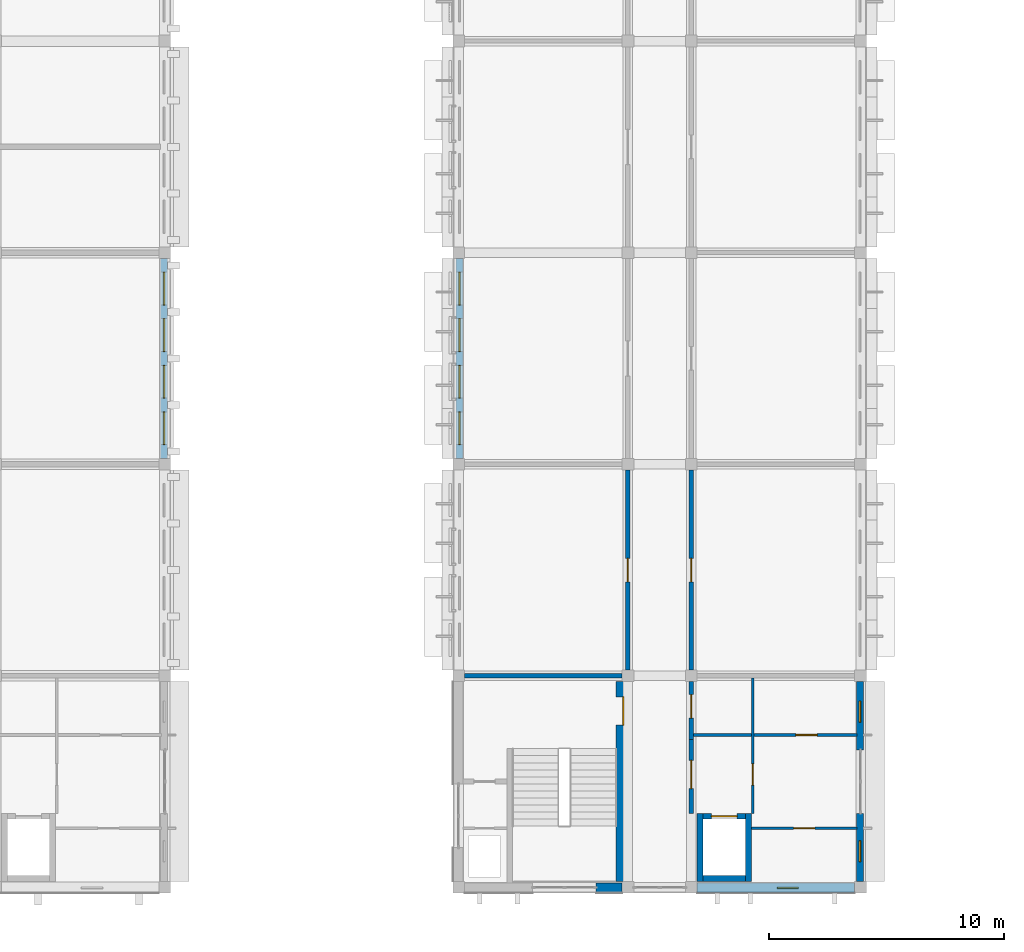
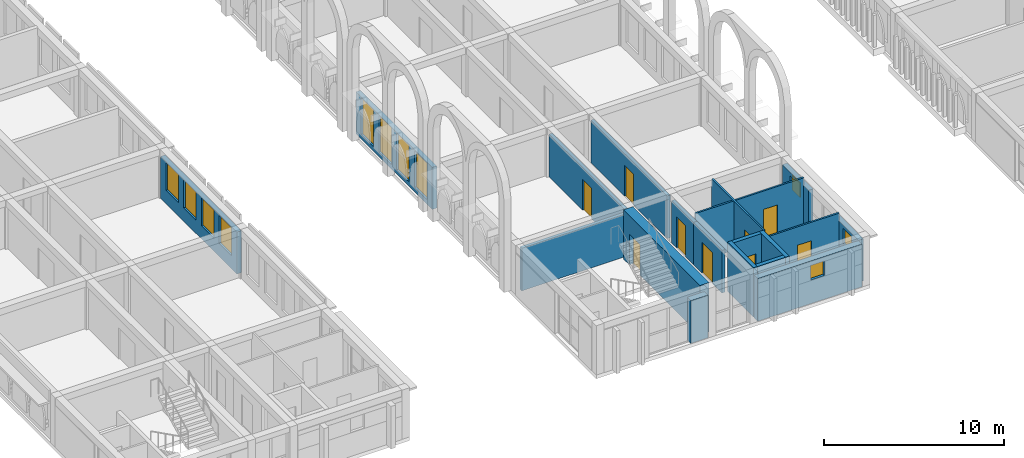
# One storey, part 37 of 70: 19 walls, 11 windows, 9 doors, 20 openings.
"""IFC4 building model written with IfcOpenShell, lengths in metres."""

from ifc_helpers import new_model, si_unit, direction, frame, frame_2d, origin, place, context, subcontext, project, spatial, rectangle, extrude, material, layer, layer_set, type_object, element, fill, save


model = new_model("IFC4")

# Units and contexts
model_context = context("Model", 3, precision=1e-05, world=origin(), true_north=direction((0.0, 1.0)))
body_context = subcontext(model_context, "Body", "Model", "MODEL_VIEW")
ifc_project = project(units=[si_unit("LENGTHUNIT", "METRE"), si_unit("AREAUNIT", "SQUARE_METRE"), si_unit("VOLUMEUNIT", "CUBIC_METRE"), si_unit("PLANEANGLEUNIT", "RADIAN"), si_unit("MASSUNIT", "GRAM", prefix="KILO")], contexts=[model_context])

# Site, building, storey
site_placement = place(None, origin())
site = spatial("IfcSite", under=ifc_project, at=site_placement, CompositionType="ELEMENT")
building_placement = place(site_placement, origin())
building = spatial("IfcBuilding", under=site, at=building_placement, Name="Elbe Cascade School", CompositionType="ELEMENT")
storey_placement = place(building_placement, frame((0.0, 0.0, 8.10009765625)))
storey = spatial("IfcBuildingStorey", under=building, at=storey_placement, Name="L02", CompositionType="ELEMENT", Elevation=8.10009765625)

# Wall, opening, door
ifc_material_1 = material(Name="Masonry - lime-sand block, plastered", Category="masonry")
ifc_layer_1 = layer(ifc_material_1, 0.199951171875)
ifc_layer_set_1 = layer_set([ifc_layer_1], Name="Masonry - lime-sand block, plastered")
wall_type_1 = type_object("IfcWallType", Name="Bar corridor wall lime-sand block 200 EI 30", PredefinedType="PARTITIONING", material=ifc_layer_set_1)
wall_1_placement = place(storey_placement, frame((108.5, 12.300048828125, 0.0), z_axis=(0.0, 0.0, 1.0), x_axis=(0.0, -1.0, 0.0)))
wall_1 = element("IfcWall", 1, at=wall_1_placement, inside=storey, type_object=wall_type_1, Name="Bar corridor wall lime-sand block 200 EI 30", PredefinedType="PARTITIONING", context=body_context, shape_type="SweptSolid", body=[
    extrude(rectangle(XDim=3.150146484375, YDim=0.199951171875, at=frame_2d((1.5751953125, 0.0))), origin(), (0.0, 0.0, 1.0), 2.89990234375),
])
opening_1_placement = place(wall_1_placement, frame((0.89990234375, 0.0, 0.0)))
opening_1 = element("IfcOpeningElement", 2, at=opening_1_placement, cuts=wall_1, Name="Opening D2.033", PredefinedType="OPENING", context=body_context, shape_type="SweptSolid", body=[
    extrude(rectangle(XDim=1.199951171875, YDim=2.10009765625, at=frame_2d((0.60009765625, 1.050048828125))), frame((0.0, 0.10986328125, 0.0), z_axis=(0.0, -1.0, 0.0), x_axis=(1.0, 0.0, 0.0)), (0.0, 0.0, 1.0), 0.219970703125),
])
ifc_material_2 = material(Name="Timber door leaf, fire-resisting and smoke-tight, steel frame", Category="steel")
door_type_1 = type_object("IfcDoorType", Name="Bar door FD30S 1200x2100", OperationType="NOTDEFINED", PredefinedType="DOOR", material=ifc_material_2)
door_1_placement = place(opening_1_placement, origin())
door_1 = element("IfcDoor", 3, at=door_1_placement, inside=storey, type_object=door_type_1, Name="Door B2.06", OperationType="SINGLE_SWING_LEFT", OverallHeight=2.10009765625, OverallWidth=1.199951171875, PredefinedType="DOOR", context=body_context, shape_type="SweptSolid", body=[
    extrude(rectangle(XDim=1.199951171875, YDim=2.10009765625, at=frame_2d((0.60009765625, 1.050048828125))), frame((0.0, 0.02490234375, 0.0), z_axis=(0.0, -1.0, 0.0), x_axis=(1.0, 0.0, 0.0)), (0.0, 0.0, 1.0), 0.050048828125),
])
fill(opening_1, door_1)

wall_2_placement = place(storey_placement, frame((108.5, 12.300048828125, 0.0), z_axis=(0.0, 0.0, 1.0), x_axis=(0.0, 1.0, 0.0)))
wall_2 = element("IfcWall", 4, at=wall_2_placement, inside=storey, type_object=wall_type_1, Name="Bar corridor wall lime-sand block 200 EI 30", PredefinedType="PARTITIONING", context=body_context, shape_type="SweptSolid", body=[
    extrude(rectangle(XDim=2.449951171875, YDim=0.199951171875, at=frame_2d((1.22509765625, 0.0))), origin(), (0.0, 0.0, 1.0), 2.89990234375),
])
opening_2_placement = place(wall_2_placement, frame((0.89990234375, 0.0, 0.0)))
opening_2 = element("IfcOpeningElement", 5, at=opening_2_placement, cuts=wall_2, Name="Opening D2.037", PredefinedType="OPENING", context=body_context, shape_type="SweptSolid", body=[
    extrude(rectangle(XDim=1.0, YDim=2.10009765625, at=frame_2d((0.5, 1.050048828125))), frame((0.0, 0.10986328125, 0.0), z_axis=(0.0, -1.0, 0.0), x_axis=(1.0, 0.0, 0.0)), (0.0, 0.0, 1.0), 0.219970703125),
])
ifc_material_3 = material(Name="Timber door leaf, fire-resisting, steel frame", Category="steel")
door_type_2 = type_object("IfcDoorType", Name="Bar door FD30 1000x2100", OperationType="NOTDEFINED", PredefinedType="DOOR", material=ifc_material_3)
door_2_placement = place(opening_2_placement, origin())
door_2 = element("IfcDoor", 6, at=door_2_placement, inside=storey, type_object=door_type_2, Name="Door B2.10", OperationType="SINGLE_SWING_RIGHT", OverallHeight=2.10009765625, OverallWidth=1.0, PredefinedType="DOOR", context=body_context, shape_type="SweptSolid", body=[
    extrude(rectangle(XDim=1.0, YDim=2.10009765625, at=frame_2d((0.5, 1.050048828125))), frame((0.0, 0.02490234375, 0.0), z_axis=(0.0, -1.0, 0.0), x_axis=(1.0, 0.0, 0.0)), (0.0, 0.0, 1.0), 0.050048828125),
])
fill(opening_2, door_2)

wall_3_placement = place(storey_placement, frame((105.800048828125, 15.25, 0.0), z_axis=(0.0, 0.0, 1.0), x_axis=(0.0, 1.0, 0.0)))
wall_3 = element("IfcWall", 7, at=wall_3_placement, inside=storey, type_object=wall_type_1, Name="Bar corridor wall lime-sand block 200 EI 30", PredefinedType="PARTITIONING", context=body_context, shape_type="SweptSolid", body=[
    extrude(rectangle(XDim=8.5, YDim=0.199951171875, at=frame_2d((4.25, 0.0))), origin(), (0.0, 0.0, 1.0), 2.89990234375),
])
opening_3_placement = place(wall_3_placement, frame((3.75, 0.0, 0.0)))
opening_3 = element("IfcOpeningElement", 8, at=opening_3_placement, cuts=wall_3, Name="Opening D2.038", PredefinedType="OPENING", context=body_context, shape_type="SweptSolid", body=[
    extrude(rectangle(XDim=1.0, YDim=2.10009765625, at=frame_2d((0.5, 1.050048828125))), frame((0.0, 0.10986328125, 0.0), z_axis=(0.0, -1.0, 0.0), x_axis=(1.0, 0.0, 0.0)), (0.0, 0.0, 1.0), 0.219970703125),
])
door_3_placement = place(opening_3_placement, origin())
door_3 = element("IfcDoor", 9, at=door_3_placement, inside=storey, type_object=door_type_2, Name="Door B2.19", OperationType="SINGLE_SWING_RIGHT", OverallHeight=2.10009765625, OverallWidth=1.0, PredefinedType="DOOR", context=body_context, shape_type="SweptSolid", body=[
    extrude(rectangle(XDim=1.0, YDim=2.10009765625, at=frame_2d((0.5, 1.050048828125))), frame((0.0, 0.02490234375, 0.0), z_axis=(0.0, -1.0, 0.0), x_axis=(1.0, 0.0, 0.0)), (0.0, 0.0, 1.0), 0.050048828125),
])
fill(opening_3, door_3)

wall_4_placement = place(storey_placement, frame((108.5, 23.75, 0.0), z_axis=(0.0, 0.0, 1.0), x_axis=(0.0, -1.0, 0.0)))
wall_4 = element("IfcWall", 10, at=wall_4_placement, inside=storey, type_object=wall_type_1, Name="Bar corridor wall lime-sand block 200 EI 30", PredefinedType="PARTITIONING", context=body_context, shape_type="SweptSolid", body=[
    extrude(rectangle(XDim=8.5, YDim=0.199951171875, at=frame_2d((4.25, 0.0))), origin(), (0.0, 0.0, 1.0), 2.89990234375),
])
opening_4_placement = place(wall_4_placement, frame((3.75, 0.0, 0.0)))
opening_4 = element("IfcOpeningElement", 11, at=opening_4_placement, cuts=wall_4, Name="Opening D2.039", PredefinedType="OPENING", context=body_context, shape_type="SweptSolid", body=[
    extrude(rectangle(XDim=1.0, YDim=2.10009765625, at=frame_2d((0.5, 1.050048828125))), frame((0.0, 0.10986328125, 0.0), z_axis=(0.0, -1.0, 0.0), x_axis=(1.0, 0.0, 0.0)), (0.0, 0.0, 1.0), 0.219970703125),
])
door_4_placement = place(opening_4_placement, origin())
door_4 = element("IfcDoor", 12, at=door_4_placement, inside=storey, type_object=door_type_2, Name="Door B2.22", OperationType="SINGLE_SWING_LEFT", OverallHeight=2.10009765625, OverallWidth=1.0, PredefinedType="DOOR", context=body_context, shape_type="SweptSolid", body=[
    extrude(rectangle(XDim=1.0, YDim=2.10009765625, at=frame_2d((0.5, 1.050048828125))), frame((0.0, 0.02490234375, 0.0), z_axis=(0.0, -1.0, 0.0), x_axis=(1.0, 0.0, 0.0)), (0.0, 0.0, 1.0), 0.050048828125),
])
fill(opening_4, door_4)

ifc_material_4 = material(Name="Masonry - lime-sand block, plastered", Category="masonry")
ifc_layer_2 = layer(ifc_material_4, 0.114990234375)
ifc_layer_set_2 = layer_set([ifc_layer_2], Name="Masonry - lime-sand block, plastered")
wall_type_2 = type_object("IfcWallType", Name="Bar light partition wall lime-sand block 115", PredefinedType="PARTITIONING", material=ifc_layer_set_2)
wall_5_placement = place(storey_placement, frame((111.107421875, 14.89990234375, 0.0), z_axis=(0.0, 0.0, 1.0), x_axis=(0.0, -1.0, 0.0)))
wall_5 = element("IfcWall", 13, at=wall_5_placement, inside=storey, type_object=wall_type_2, Name="Bar light partition wall lime-sand block 115", PredefinedType="PARTITIONING", context=body_context, shape_type="SweptSolid", body=[
    extrude(rectangle(XDim=5.75, YDim=0.114990234375, at=frame_2d((2.875, 0.0))), origin(), (0.0, 0.0, 1.0), 3.349853515625),
])
opening_5_placement = place(wall_5_placement, frame((3.64990234375, 0.0, 0.0)))
opening_5 = element("IfcOpeningElement", 14, at=opening_5_placement, cuts=wall_5, Name="Opening D2.034", PredefinedType="OPENING", context=body_context, shape_type="SweptSolid", body=[
    extrude(rectangle(XDim=0.89990234375, YDim=2.10009765625, at=frame_2d((0.449951171875, 1.050048828125))), frame((0.0, 0.0673828125, 0.0), z_axis=(0.0, -1.0, 0.0), x_axis=(1.0, 0.0, 0.0)), (0.0, 0.0, 1.0), 0.135009765625),
])
ifc_material_5 = material(Name="Timber door leaf, steel frame", Category="steel")
door_type_3 = type_object("IfcDoorType", Name="Bar door 900x2100", OperationType="NOTDEFINED", PredefinedType="DOOR", material=ifc_material_5)
door_5_placement = place(opening_5_placement, origin())
door_5 = element("IfcDoor", 15, at=door_5_placement, inside=storey, type_object=door_type_3, Name="Door B2.07", OperationType="SINGLE_SWING_LEFT", OverallHeight=2.10009765625, OverallWidth=0.89990234375, PredefinedType="DOOR", context=body_context, shape_type="SweptSolid", body=[
    extrude(rectangle(XDim=0.89990234375, YDim=2.10009765625, at=frame_2d((0.449951171875, 1.050048828125))), frame((0.0, 0.02490234375, 0.0), z_axis=(0.0, -1.0, 0.0), x_axis=(1.0, 0.0, 0.0)), (0.0, 0.0, 1.0), 0.050048828125),
])
fill(opening_5, door_5)

wall_6_placement = place(storey_placement, frame((115.550048828125, 8.52001953125, 0.0), z_axis=(0.0, 0.0, 1.0), x_axis=(-1.0, 0.0, 0.0)))
wall_6 = element("IfcWall", 16, at=wall_6_placement, inside=storey, type_object=wall_type_2, Name="Bar light partition wall lime-sand block 115", PredefinedType="PARTITIONING", context=body_context, shape_type="SweptSolid", body=[
    extrude(rectangle(XDim=4.5, YDim=0.114990234375, at=frame_2d((2.25, 0.0))), origin(), (0.0, 0.0, 1.0), 3.349853515625),
])
opening_6_placement = place(wall_6_placement, frame((1.800048828125, 0.0, 0.0)))
opening_6 = element("IfcOpeningElement", 17, at=opening_6_placement, cuts=wall_6, Name="Opening D2.030", PredefinedType="OPENING", context=body_context, shape_type="SweptSolid", body=[
    extrude(rectangle(XDim=0.89990234375, YDim=2.10009765625, at=frame_2d((0.449951171875, 1.050048828125))), frame((0.0, 0.0673828125, 0.0), z_axis=(0.0, -1.0, 0.0), x_axis=(1.0, 0.0, 0.0)), (0.0, 0.0, 1.0), 0.135009765625),
])
door_6_placement = place(opening_6_placement, origin())
door_6 = element("IfcDoor", 18, at=door_6_placement, inside=storey, type_object=door_type_3, Name="Door B2.08", OperationType="SINGLE_SWING_LEFT", OverallHeight=2.10009765625, OverallWidth=0.89990234375, PredefinedType="DOOR", context=body_context, shape_type="SweptSolid", body=[
    extrude(rectangle(XDim=0.89990234375, YDim=2.10009765625, at=frame_2d((0.449951171875, 1.050048828125))), frame((0.0, 0.02490234375, 0.0), z_axis=(0.0, -1.0, 0.0), x_axis=(1.0, 0.0, 0.0)), (0.0, 0.0, 1.0), 0.050048828125),
])
fill(opening_6, door_6)

wall_7_placement = place(storey_placement, frame((108.60009765625, 12.47998046875, 0.0), z_axis=(0.0, 0.0, 1.0), x_axis=(1.0, 0.0, 0.0)))
wall_7 = element("IfcWall", 19, at=wall_7_placement, inside=storey, type_object=wall_type_2, Name="Bar light partition wall lime-sand block 115", PredefinedType="PARTITIONING", context=body_context, shape_type="SweptSolid", body=[
    extrude(rectangle(XDim=6.949951171875, YDim=0.114990234375, at=frame_2d((3.47509765625, 0.0))), origin(), (0.0, 0.0, 1.0), 3.349853515625),
])
opening_7_placement = place(wall_7_placement, frame((4.35009765625, 0.0, 0.0)))
opening_7 = element("IfcOpeningElement", 20, at=opening_7_placement, cuts=wall_7, Name="Opening D2.035", PredefinedType="OPENING", context=body_context, shape_type="SweptSolid", body=[
    extrude(rectangle(XDim=0.89990234375, YDim=2.10009765625, at=frame_2d((0.449951171875, 1.050048828125))), frame((0.0, 0.0673828125, 0.0), z_axis=(0.0, -1.0, 0.0), x_axis=(1.0, 0.0, 0.0)), (0.0, 0.0, 1.0), 0.135009765625),
])
door_7_placement = place(opening_7_placement, origin())
door_7 = element("IfcDoor", 21, at=door_7_placement, inside=storey, type_object=door_type_3, Name="Door B2.09", OperationType="SINGLE_SWING_RIGHT", OverallHeight=2.10009765625, OverallWidth=0.89990234375, PredefinedType="DOOR", context=body_context, shape_type="SweptSolid", body=[
    extrude(rectangle(XDim=0.89990234375, YDim=2.10009765625, at=frame_2d((0.449951171875, 1.050048828125))), frame((0.0, 0.02490234375, 0.0), z_axis=(0.0, -1.0, 0.0), x_axis=(1.0, 0.0, 0.0)), (0.0, 0.0, 1.0), 0.050048828125),
])
fill(opening_7, door_7)

ifc_material_6 = material(Name="Concrete C30/37", Category="concrete")
ifc_layer_3 = layer(ifc_material_6, 0.60009765625)
ifc_layer_set_3 = layer_set([ifc_layer_3], Name="Concrete C30/37")
wall_type_3 = type_object("IfcWallType", Name="Bar stair core wall RC 600", PredefinedType="SOLIDWALL", material=ifc_layer_set_3)
wall_8_placement = place(storey_placement, frame((105.60009765625, 6.25, 0.0), z_axis=(0.0, 0.0, 1.0), x_axis=(0.0, 1.0, 0.0)))
wall_8 = element("IfcWall", 22, at=wall_8_placement, inside=storey, type_object=wall_type_3, Name="Bar stair core wall RC 600", PredefinedType="SOLIDWALL", context=body_context, shape_type="SweptSolid", body=[
    extrude(rectangle(XDim=8.5, YDim=0.60009765625, at=frame_2d((4.25, 0.0))), origin(), (0.0, 0.0, 1.0), 3.349853515625),
])
opening_8_placement = place(wall_8_placement, frame((6.64990234375, 0.0, 0.0)))
opening_8 = element("IfcOpeningElement", 23, at=opening_8_placement, cuts=wall_8, Name="Opening D2.036", PredefinedType="OPENING", context=body_context, shape_type="SweptSolid", body=[
    extrude(rectangle(XDim=1.199951171875, YDim=2.10009765625, at=frame_2d((0.60009765625, 1.050048828125))), frame((0.0, 0.31005859375, 0.0), z_axis=(0.0, -1.0, 0.0), x_axis=(1.0, 0.0, 0.0)), (0.0, 0.0, 1.0), 0.6201171875),
])
door_8_placement = place(opening_8_placement, origin())
door_8 = element("IfcDoor", 24, at=door_8_placement, inside=storey, type_object=door_type_1, Name="Door B2.03", OperationType="SINGLE_SWING_RIGHT", OverallHeight=2.10009765625, OverallWidth=1.199951171875, PredefinedType="DOOR", context=body_context, shape_type="SweptSolid", body=[
    extrude(rectangle(XDim=1.199951171875, YDim=2.10009765625, at=frame_2d((0.60009765625, 1.050048828125))), frame((0.0, 0.02490234375, 0.0), z_axis=(0.0, -1.0, 0.0), x_axis=(1.0, 0.0, 0.0)), (0.0, 0.0, 1.0), 0.050048828125),
])
fill(opening_8, door_8)

# Wall
ifc_material_7 = material(Name="Concrete C30/37", Category="concrete")
ifc_layer_4 = layer(ifc_material_7, 0.199951171875)
ifc_layer_set_4 = layer_set([ifc_layer_4], Name="Concrete C30/37")
wall_type_4 = type_object("IfcWallType", Name="Bar stair lobby wall RC 200", PredefinedType="SOLIDWALL", material=ifc_layer_set_4)
wall_9_placement = place(storey_placement, frame((98.85009765625, 15.0, 0.0), z_axis=(0.0, 0.0, 1.0), x_axis=(1.0, 0.0, 0.0)))
element("IfcWall", 25, at=wall_9_placement, inside=storey, type_object=wall_type_4, Name="Bar stair lobby wall RC 200", PredefinedType="SOLIDWALL", context=body_context, shape_type="SweptSolid", body=[
    extrude(rectangle(XDim=6.699951171875, YDim=0.199951171875, at=frame_2d((3.35009765625, 0.0))), origin(), (0.0, 0.0, 1.0), 2.89990234375),
])

# Wall, openings, windows
ifc_material_8 = material(Name="Brick masonry - red clinker, cavity wall with render backing", Category="masonry")
ifc_layer_5 = layer(ifc_material_8, 0.300048828125)
ifc_layer_set_5 = layer_set([ifc_layer_5], Name="Brick masonry - red clinker, cavity wall with render backing")
wall_type_5 = type_object("IfcWallType", Name="Bars envelope External wall - clinker brick cavity, 300 upper floors", PredefinedType="STANDARD", material=ifc_layer_set_5)
wall_10_placement = place(storey_placement, frame((86.070068359375, 32.75, 0.0), z_axis=(0.0, 0.0, 1.0), x_axis=(0.0, -1.0, 0.0)))
wall_10 = element("IfcWall", 26, at=wall_10_placement, inside=storey, type_object=wall_type_5, Name="External wall W30 A.L02.e3", PredefinedType="STANDARD", context=body_context, shape_type="SweptSolid", body=[
    extrude(rectangle(XDim=8.5, YDim=0.300048828125, at=frame_2d((4.25, 0.0))), origin(), (0.0, 0.0, 1.0), 2.849853515625),
])
opening_9_placement = place(wall_10_placement, frame((6.52001953125, 0.0, 0.89990234375)))
opening_9 = element("IfcOpeningElement", 27, at=opening_9_placement, cuts=wall_10, Name="Opening W2.013", PredefinedType="OPENING", context=body_context, shape_type="SweptSolid", body=[
    extrude(rectangle(XDim=1.39990234375, YDim=1.89990234375, at=frame_2d((0.699951171875, 0.949951171875))), frame((0.0, 0.159912109375, 0.0), z_axis=(0.0, -1.0, 0.0), x_axis=(1.0, 0.0, 0.0)), (0.0, 0.0, 1.0), 0.320068359375),
])
opening_10_placement = place(wall_10_placement, frame((4.5400390625, 0.0, 0.89990234375)))
opening_10 = element("IfcOpeningElement", 28, at=opening_10_placement, cuts=wall_10, Name="Opening W2.015", PredefinedType="OPENING", context=body_context, shape_type="SweptSolid", body=[
    extrude(rectangle(XDim=1.39990234375, YDim=1.89990234375, at=frame_2d((0.699951171875, 0.949951171875))), frame((0.0, 0.159912109375, 0.0), z_axis=(0.0, -1.0, 0.0), x_axis=(1.0, 0.0, 0.0)), (0.0, 0.0, 1.0), 0.320068359375),
])
opening_11_placement = place(wall_10_placement, frame((2.56005859375, 0.0, 0.89990234375)))
opening_11 = element("IfcOpeningElement", 29, at=opening_11_placement, cuts=wall_10, Name="Opening W2.017", PredefinedType="OPENING", context=body_context, shape_type="SweptSolid", body=[
    extrude(rectangle(XDim=1.39990234375, YDim=1.89990234375, at=frame_2d((0.699951171875, 0.949951171875))), frame((0.0, 0.159912109375, 0.0), z_axis=(0.0, -1.0, 0.0), x_axis=(1.0, 0.0, 0.0)), (0.0, 0.0, 1.0), 0.320068359375),
])
opening_12_placement = place(wall_10_placement, frame((0.580078125, 0.0, 0.89990234375)))
opening_12 = element("IfcOpeningElement", 30, at=opening_12_placement, cuts=wall_10, Name="Opening W2.019", PredefinedType="OPENING", context=body_context, shape_type="SweptSolid", body=[
    extrude(rectangle(XDim=1.39990234375, YDim=1.89990234375, at=frame_2d((0.699951171875, 0.949951171875))), frame((0.0, 0.159912109375, 0.0), z_axis=(0.0, -1.0, 0.0), x_axis=(1.0, 0.0, 0.0)), (0.0, 0.0, 1.0), 0.320068359375),
])
ifc_material_9 = material(Name="Aluminium frame with double glazing, bronze anodised", Category="aluminium")
window_type_1 = type_object("IfcWindowType", Name="Bars envelope Window 1400 x 1900, laboratory and office, bench height sill, aluminium double glazed", PartitioningType="DOUBLE_PANEL_VERTICAL", PredefinedType="WINDOW", material=ifc_material_9)
window_1_placement = place(opening_9_placement, origin())
window_1 = element("IfcWindow", 31, at=window_1_placement, inside=storey, type_object=window_type_1, Name="Window WN6 A.L02.e3.1", OverallHeight=1.89990234375, OverallWidth=1.39990234375, PartitioningType="DOUBLE_PANEL_VERTICAL", PredefinedType="WINDOW", context=body_context, shape_type="SweptSolid", body=[
    extrude(rectangle(XDim=1.39990234375, YDim=1.89990234375, at=frame_2d((0.699951171875, 0.949951171875))), frame((0.0, 0.030029296875, 0.0), z_axis=(0.0, -1.0, 0.0), x_axis=(1.0, 0.0, 0.0)), (0.0, 0.0, 1.0), 0.06005859375),
])
fill(opening_9, window_1)
window_2_placement = place(opening_10_placement, origin())
window_2 = element("IfcWindow", 32, at=window_2_placement, inside=storey, type_object=window_type_1, Name="Window WN6 A.L02.e3.2", OverallHeight=1.89990234375, OverallWidth=1.39990234375, PartitioningType="DOUBLE_PANEL_VERTICAL", PredefinedType="WINDOW", context=body_context, shape_type="SweptSolid", body=[
    extrude(rectangle(XDim=1.39990234375, YDim=1.89990234375, at=frame_2d((0.699951171875, 0.949951171875))), frame((0.0, 0.030029296875, 0.0), z_axis=(0.0, -1.0, 0.0), x_axis=(1.0, 0.0, 0.0)), (0.0, 0.0, 1.0), 0.06005859375),
])
fill(opening_10, window_2)
window_3_placement = place(opening_11_placement, origin())
window_3 = element("IfcWindow", 33, at=window_3_placement, inside=storey, type_object=window_type_1, Name="Window WN6 A.L02.e3.3", OverallHeight=1.89990234375, OverallWidth=1.39990234375, PartitioningType="DOUBLE_PANEL_VERTICAL", PredefinedType="WINDOW", context=body_context, shape_type="SweptSolid", body=[
    extrude(rectangle(XDim=1.39990234375, YDim=1.89990234375, at=frame_2d((0.699951171875, 0.949951171875))), frame((0.0, 0.030029296875, 0.0), z_axis=(0.0, -1.0, 0.0), x_axis=(1.0, 0.0, 0.0)), (0.0, 0.0, 1.0), 0.06005859375),
])
fill(opening_11, window_3)
window_4_placement = place(opening_12_placement, origin())
window_4 = element("IfcWindow", 34, at=window_4_placement, inside=storey, type_object=window_type_1, Name="Window WN6 A.L02.e3.4", OverallHeight=1.89990234375, OverallWidth=1.39990234375, PartitioningType="DOUBLE_PANEL_VERTICAL", PredefinedType="WINDOW", context=body_context, shape_type="SweptSolid", body=[
    extrude(rectangle(XDim=1.39990234375, YDim=1.89990234375, at=frame_2d((0.699951171875, 0.949951171875))), frame((0.0, 0.030029296875, 0.0), z_axis=(0.0, -1.0, 0.0), x_axis=(1.0, 0.0, 0.0)), (0.0, 0.0, 1.0), 0.06005859375),
])
fill(opening_12, window_4)

wall_11_placement = place(storey_placement, frame((98.6298828125, 24.25, 0.0), z_axis=(0.0, 0.0, 1.0), x_axis=(0.0, 1.0, 0.0)))
wall_11 = element("IfcWall", 35, at=wall_11_placement, inside=storey, type_object=wall_type_5, Name="External wall W30 B.L02.w3", PredefinedType="STANDARD", context=body_context, shape_type="SweptSolid", body=[
    extrude(rectangle(XDim=8.5, YDim=0.300048828125, at=frame_2d((4.25, 0.0))), origin(), (0.0, 0.0, 1.0), 2.849853515625),
])
opening_13_placement = place(wall_11_placement, frame((0.580078125, 0.0, 0.300048828125)))
opening_13 = element("IfcOpeningElement", 36, at=opening_13_placement, cuts=wall_11, Name="Opening W2.050", PredefinedType="OPENING", context=body_context, shape_type="SweptSolid", body=[
    extrude(rectangle(XDim=1.39990234375, YDim=2.5, at=frame_2d((0.699951171875, 1.25))), frame((0.0, 0.159912109375, 0.0), z_axis=(0.0, -1.0, 0.0), x_axis=(1.0, 0.0, 0.0)), (0.0, 0.0, 1.0), 0.320068359375),
])
opening_14_placement = place(wall_11_placement, frame((2.56005859375, 0.0, 0.300048828125)))
opening_14 = element("IfcOpeningElement", 37, at=opening_14_placement, cuts=wall_11, Name="Opening W2.052", PredefinedType="OPENING", context=body_context, shape_type="SweptSolid", body=[
    extrude(rectangle(XDim=1.39990234375, YDim=2.5, at=frame_2d((0.699951171875, 1.25))), frame((0.0, 0.159912109375, 0.0), z_axis=(0.0, -1.0, 0.0), x_axis=(1.0, 0.0, 0.0)), (0.0, 0.0, 1.0), 0.320068359375),
])
opening_15_placement = place(wall_11_placement, frame((4.5400390625, 0.0, 0.300048828125)))
opening_15 = element("IfcOpeningElement", 38, at=opening_15_placement, cuts=wall_11, Name="Opening W2.054", PredefinedType="OPENING", context=body_context, shape_type="SweptSolid", body=[
    extrude(rectangle(XDim=1.39990234375, YDim=2.5, at=frame_2d((0.699951171875, 1.25))), frame((0.0, 0.159912109375, 0.0), z_axis=(0.0, -1.0, 0.0), x_axis=(1.0, 0.0, 0.0)), (0.0, 0.0, 1.0), 0.320068359375),
])
opening_16_placement = place(wall_11_placement, frame((6.52001953125, 0.0, 0.300048828125)))
opening_16 = element("IfcOpeningElement", 39, at=opening_16_placement, cuts=wall_11, Name="Opening W2.056", PredefinedType="OPENING", context=body_context, shape_type="SweptSolid", body=[
    extrude(rectangle(XDim=1.39990234375, YDim=2.5, at=frame_2d((0.699951171875, 1.25))), frame((0.0, 0.159912109375, 0.0), z_axis=(0.0, -1.0, 0.0), x_axis=(1.0, 0.0, 0.0)), (0.0, 0.0, 1.0), 0.320068359375),
])
ifc_material_10 = material(Name="Aluminium frame with double glazing, bronze anodised", Category="aluminium")
window_type_2 = type_object("IfcWindowType", Name="Bars envelope Window 1400 x 2500, library reading, tall, aluminium double glazed", PartitioningType="DOUBLE_PANEL_VERTICAL", PredefinedType="WINDOW", material=ifc_material_10)
window_5_placement = place(opening_13_placement, origin())
window_5 = element("IfcWindow", 40, at=window_5_placement, inside=storey, type_object=window_type_2, Name="Window WN5 B.L02.w3.1", OverallHeight=2.5, OverallWidth=1.39990234375, PartitioningType="DOUBLE_PANEL_VERTICAL", PredefinedType="WINDOW", context=body_context, shape_type="SweptSolid", body=[
    extrude(rectangle(XDim=1.39990234375, YDim=2.5, at=frame_2d((0.699951171875, 1.25))), frame((0.0, 0.030029296875, 0.0), z_axis=(0.0, -1.0, 0.0), x_axis=(1.0, 0.0, 0.0)), (0.0, 0.0, 1.0), 0.06005859375),
])
fill(opening_13, window_5)
window_6_placement = place(opening_14_placement, origin())
window_6 = element("IfcWindow", 41, at=window_6_placement, inside=storey, type_object=window_type_2, Name="Window WN5 B.L02.w3.2", OverallHeight=2.5, OverallWidth=1.39990234375, PartitioningType="DOUBLE_PANEL_VERTICAL", PredefinedType="WINDOW", context=body_context, shape_type="SweptSolid", body=[
    extrude(rectangle(XDim=1.39990234375, YDim=2.5, at=frame_2d((0.699951171875, 1.25))), frame((0.0, 0.030029296875, 0.0), z_axis=(0.0, -1.0, 0.0), x_axis=(1.0, 0.0, 0.0)), (0.0, 0.0, 1.0), 0.06005859375),
])
fill(opening_14, window_6)
window_7_placement = place(opening_15_placement, origin())
window_7 = element("IfcWindow", 42, at=window_7_placement, inside=storey, type_object=window_type_2, Name="Window WN5 B.L02.w3.3", OverallHeight=2.5, OverallWidth=1.39990234375, PartitioningType="DOUBLE_PANEL_VERTICAL", PredefinedType="WINDOW", context=body_context, shape_type="SweptSolid", body=[
    extrude(rectangle(XDim=1.39990234375, YDim=2.5, at=frame_2d((0.699951171875, 1.25))), frame((0.0, 0.030029296875, 0.0), z_axis=(0.0, -1.0, 0.0), x_axis=(1.0, 0.0, 0.0)), (0.0, 0.0, 1.0), 0.06005859375),
])
fill(opening_15, window_7)
window_8_placement = place(opening_16_placement, origin())
window_8 = element("IfcWindow", 43, at=window_8_placement, inside=storey, type_object=window_type_2, Name="Window WN5 B.L02.w3.4", OverallHeight=2.5, OverallWidth=1.39990234375, PartitioningType="DOUBLE_PANEL_VERTICAL", PredefinedType="WINDOW", context=body_context, shape_type="SweptSolid", body=[
    extrude(rectangle(XDim=1.39990234375, YDim=2.5, at=frame_2d((0.699951171875, 1.25))), frame((0.0, 0.030029296875, 0.0), z_axis=(0.0, -1.0, 0.0), x_axis=(1.0, 0.0, 0.0)), (0.0, 0.0, 1.0), 0.06005859375),
])
fill(opening_16, window_8)

# Wall, opening, window
wall_12_placement = place(storey_placement, frame((115.669921875, 9.14990234375, 0.0), z_axis=(0.0, 0.0, 1.0), x_axis=(0.0, -1.0, 0.0)))
wall_12 = element("IfcWall", 44, at=wall_12_placement, inside=storey, type_object=wall_type_5, Name="External wall W30 B.L02.e1a", PredefinedType="STANDARD", context=body_context, shape_type="SweptSolid", body=[
    extrude(rectangle(XDim=2.89990234375, YDim=0.300048828125, at=frame_2d((1.449951171875, 0.0))), origin(), (0.0, 0.0, 1.0), 2.849853515625),
])
opening_17_placement = place(wall_12_placement, frame((1.169921875, 0.0, 1.60009765625)))
opening_17 = element("IfcOpeningElement", 45, at=opening_17_placement, cuts=wall_12, Name="Opening W2.040", PredefinedType="OPENING", context=body_context, shape_type="SweptSolid", body=[
    extrude(rectangle(XDim=0.89990234375, YDim=1.0, at=frame_2d((0.449951171875, 0.5))), frame((0.0, 0.159912109375, 0.0), z_axis=(0.0, -1.0, 0.0), x_axis=(1.0, 0.0, 0.0)), (0.0, 0.0, 1.0), 0.320068359375),
])
ifc_material_11 = material(Name="Aluminium frame with double glazing, bronze anodised", Category="aluminium")
window_type_3 = type_object("IfcWindowType", Name="Bars envelope Window 900 x 1000, WC and service room, high level, aluminium double glazed", PartitioningType="SINGLE_PANEL", PredefinedType="WINDOW", material=ifc_material_11)
window_9_placement = place(opening_17_placement, origin())
window_9 = element("IfcWindow", 46, at=window_9_placement, inside=storey, type_object=window_type_3, Name="Window WN4 B.L02.e1a.1", OverallHeight=1.0, OverallWidth=0.89990234375, PartitioningType="SINGLE_PANEL", PredefinedType="WINDOW", context=body_context, shape_type="SweptSolid", body=[
    extrude(rectangle(XDim=0.89990234375, YDim=1.0, at=frame_2d((0.449951171875, 0.5))), frame((0.0, 0.030029296875, 0.0), z_axis=(0.0, -1.0, 0.0), x_axis=(1.0, 0.0, 0.0)), (0.0, 0.0, 1.0), 0.06005859375),
])
fill(opening_17, window_9)

wall_13_placement = place(storey_placement, frame((115.669921875, 14.75, 0.0), z_axis=(0.0, 0.0, 1.0), x_axis=(0.0, -1.0, 0.0)))
wall_13 = element("IfcWall", 47, at=wall_13_placement, inside=storey, type_object=wall_type_5, Name="External wall W30 B.L02.e1b", PredefinedType="STANDARD", context=body_context, shape_type="SweptSolid", body=[
    extrude(rectangle(XDim=2.89990234375, YDim=0.300048828125, at=frame_2d((1.449951171875, 0.0))), origin(), (0.0, 0.0, 1.0), 2.849853515625),
])
opening_18_placement = place(wall_13_placement, frame((0.830078125, 0.0, 1.60009765625)))
opening_18 = element("IfcOpeningElement", 48, at=opening_18_placement, cuts=wall_13, Name="Opening W2.041", PredefinedType="OPENING", context=body_context, shape_type="SweptSolid", body=[
    extrude(rectangle(XDim=0.89990234375, YDim=1.0, at=frame_2d((0.449951171875, 0.5))), frame((0.0, 0.159912109375, 0.0), z_axis=(0.0, -1.0, 0.0), x_axis=(1.0, 0.0, 0.0)), (0.0, 0.0, 1.0), 0.320068359375),
])
window_10_placement = place(opening_18_placement, origin())
window_10 = element("IfcWindow", 49, at=window_10_placement, inside=storey, type_object=window_type_3, Name="Window WN4 B.L02.e1b.1", OverallHeight=1.0, OverallWidth=0.89990234375, PartitioningType="SINGLE_PANEL", PredefinedType="WINDOW", context=body_context, shape_type="SweptSolid", body=[
    extrude(rectangle(XDim=0.89990234375, YDim=1.0, at=frame_2d((0.449951171875, 0.5))), frame((0.0, 0.030029296875, 0.0), z_axis=(0.0, -1.0, 0.0), x_axis=(1.0, 0.0, 0.0)), (0.0, 0.0, 1.0), 0.06005859375),
])
fill(opening_18, window_10)

# Wall
ifc_material_12 = material(Name="Brick masonry - red clinker, solid, sandstone-faced", Category="masonry")
ifc_layer_6 = layer(ifc_material_12, 0.39990234375)
ifc_layer_set_6 = layer_set([ifc_layer_6], Name="Brick masonry - red clinker, solid, sandstone-faced")
wall_type_6 = type_object("IfcWallType", Name="Bars envelope External wall - solid masonry core strip, sandstone faced, 400", PredefinedType="STANDARD", material=ifc_layer_set_6)
wall_14_placement = place(storey_placement, frame((105.550048828125, 5.97998046875, 0.0), z_axis=(0.0, 0.0, 1.0), x_axis=(-1.0, 0.0, 0.0)))
element("IfcWall", 50, at=wall_14_placement, inside=storey, type_object=wall_type_6, Name="External wall W31 B.L02.s1b", PredefinedType="STANDARD", context=body_context, shape_type="SweptSolid", body=[
    extrude(rectangle(XDim=1.10009765625, YDim=0.39990234375, at=frame_2d((0.550048828125, 0.0))), origin(), (0.0, 0.0, 1.0), 2.89990234375),
])

# Wall, opening, window
wall_15_placement = place(storey_placement, frame((115.449951171875, 5.97998046875, 0.0), z_axis=(0.0, 0.0, 1.0), x_axis=(-1.0, 0.0, 0.0)))
wall_15 = element("IfcWall", 51, at=wall_15_placement, inside=storey, type_object=wall_type_6, Name="External wall W31 B.L02.s3", PredefinedType="STANDARD", context=body_context, shape_type="SweptSolid", body=[
    extrude(rectangle(XDim=6.699951171875, YDim=0.39990234375, at=frame_2d((3.35009765625, 0.0))), origin(), (0.0, 0.0, 1.0), 2.89990234375),
])
opening_19_placement = place(wall_15_placement, frame((2.39990234375, 0.0, 1.60009765625)))
opening_19 = element("IfcOpeningElement", 52, at=opening_19_placement, cuts=wall_15, Name="Opening W2.039", PredefinedType="OPENING", context=body_context, shape_type="SweptSolid", body=[
    extrude(rectangle(XDim=0.89990234375, YDim=1.0, at=frame_2d((0.449951171875, 0.5))), frame((0.0, 0.2099609375, 0.0), z_axis=(0.0, -1.0, 0.0), x_axis=(1.0, 0.0, 0.0)), (0.0, 0.0, 1.0), 0.419921875),
])
window_11_placement = place(opening_19_placement, origin())
window_11 = element("IfcWindow", 53, at=window_11_placement, inside=storey, type_object=window_type_3, Name="Window WN4 B.L02.s3.1", OverallHeight=1.0, OverallWidth=0.89990234375, PartitioningType="SINGLE_PANEL", PredefinedType="WINDOW", context=body_context, shape_type="SweptSolid", body=[
    extrude(rectangle(XDim=0.89990234375, YDim=1.0, at=frame_2d((0.449951171875, 0.5))), frame((0.0, 0.030029296875, 0.0), z_axis=(0.0, -1.0, 0.0), x_axis=(1.0, 0.0, 0.0)), (0.0, 0.0, 1.0), 0.06005859375),
])
fill(opening_19, window_11)

# Walls
ifc_material_13 = material(Name="Concrete C30/37", Category="concrete")
ifc_layer_7 = layer(ifc_material_13, 0.25)
ifc_layer_set_7 = layer_set([ifc_layer_7], Name="Concrete C30/37")
wall_type_7 = type_object("IfcWallType", Name="Shaft wall 250", PredefinedType="SHEAR", material=ifc_layer_set_7)
for number, where, z_axis, x_axis, name in (
    (54, (108.875, 6.25, 0.0), (0.0, 0.0, 1.0), (0.0, 1.0, 0.0), "Shaft wall 250 W1"),
    (55, (110.925048828125, 6.25, 0.0), (0.0, 0.0, 1.0), (0.0, 1.0, 0.0), "Shaft wall 250 W1"),
):
    element("IfcWall", number, at=place(storey_placement, frame(where, z_axis=z_axis, x_axis=x_axis)), inside=storey, type_object=wall_type_7, Name=name, PredefinedType="SHEAR", context=body_context, shape_type="SweptSolid", body=[
        extrude(rectangle(XDim=2.89990234375, YDim=0.25, at=frame_2d((1.449951171875, 0.0))), origin(), (0.0, 0.0, 1.0), 3.349853515625),
    ])
wall_16_placement = place(storey_placement, frame((109.0, 6.375, 0.0), z_axis=(0.0, 0.0, 1.0), x_axis=(1.0, 0.0, 0.0)))
element("IfcWall", 56, at=wall_16_placement, inside=storey, type_object=wall_type_7, Name="Shaft wall 250 W1", PredefinedType="SHEAR", context=body_context, shape_type="SweptSolid", body=[
    extrude(rectangle(XDim=1.800048828125, YDim=0.25, at=frame_2d((0.89990234375, 0.0))), origin(), (0.0, 0.0, 1.0), 3.349853515625),
])

# Wall, opening, door
wall_17_placement = place(storey_placement, frame((109.0, 9.02490234375, 0.0), z_axis=(0.0, 0.0, 1.0), x_axis=(1.0, 0.0, 0.0)))
wall_17 = element("IfcWall", 57, at=wall_17_placement, inside=storey, type_object=wall_type_7, Name="Shaft wall 250 W1", PredefinedType="SHEAR", context=body_context, shape_type="SweptSolid", body=[
    extrude(rectangle(XDim=1.800048828125, YDim=0.25, at=frame_2d((0.89990234375, 0.0))), origin(), (0.0, 0.0, 1.0), 3.349853515625),
])
opening_20_placement = place(wall_17_placement, frame((0.35009765625, 0.0, 0.0)))
opening_20 = element("IfcOpeningElement", 58, at=opening_20_placement, cuts=wall_17, Name="Opening D2.031", PredefinedType="OPENING", context=body_context, shape_type="SweptSolid", body=[
    extrude(rectangle(XDim=1.10009765625, YDim=2.10009765625, at=frame_2d((0.550048828125, 1.050048828125))), frame((0.0, 0.135009765625, 0.0), z_axis=(0.0, -1.0, 0.0), x_axis=(1.0, 0.0, 0.0)), (0.0, 0.0, 1.0), 0.27001953125),
])
ifc_material_14 = material(Name="Stainless steel sliding door leaf", Category="steel")
door_type_4 = type_object("IfcDoorType", Name="Bar lift landing door 1100x2100", OperationType="SLIDING_TO_LEFT", PredefinedType="DOOR", material=ifc_material_14)
door_9_placement = place(opening_20_placement, origin())
door_9 = element("IfcDoor", 59, at=door_9_placement, inside=storey, type_object=door_type_4, Name="Lift landing door LDB2.1", OperationType="SLIDING_TO_LEFT", OverallHeight=2.10009765625, OverallWidth=1.10009765625, PredefinedType="DOOR", context=body_context, shape_type="SweptSolid", body=[
    extrude(rectangle(XDim=1.10009765625, YDim=2.10009765625, at=frame_2d((0.550048828125, 1.050048828125))), frame((0.0, 0.02490234375, 0.0), z_axis=(0.0, -1.0, 0.0), x_axis=(1.0, 0.0, 0.0)), (0.0, 0.0, 1.0), 0.050048828125),
])
fill(opening_20, door_9)

save(model, "model.ifc")
